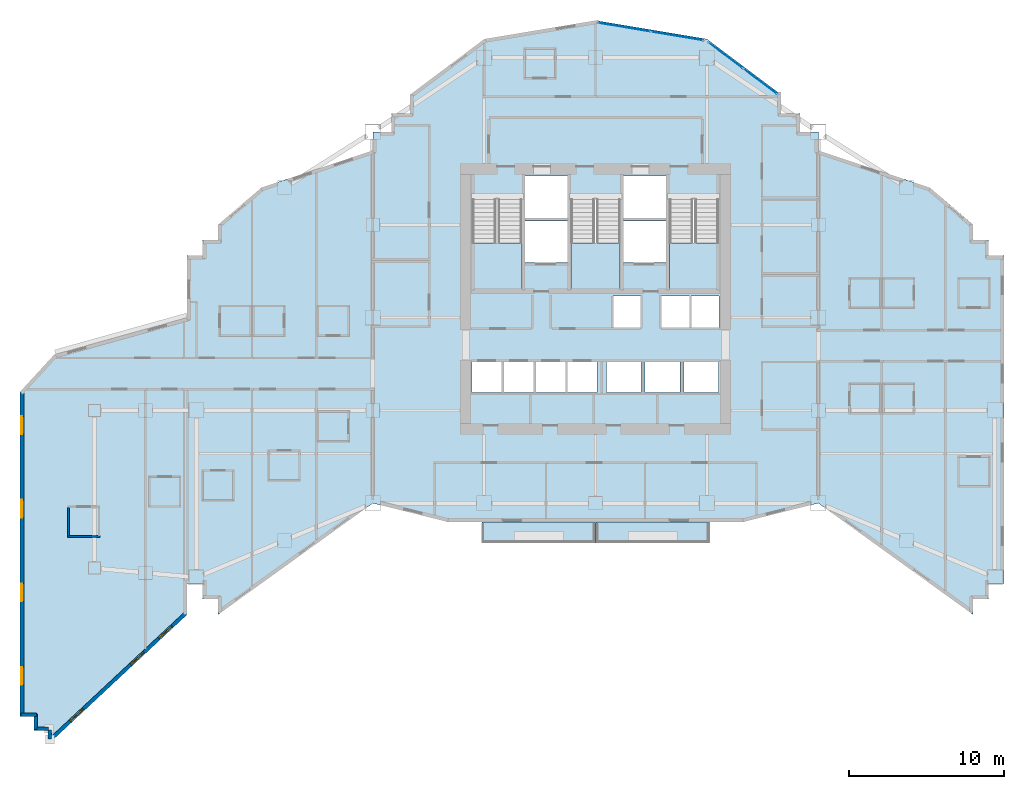
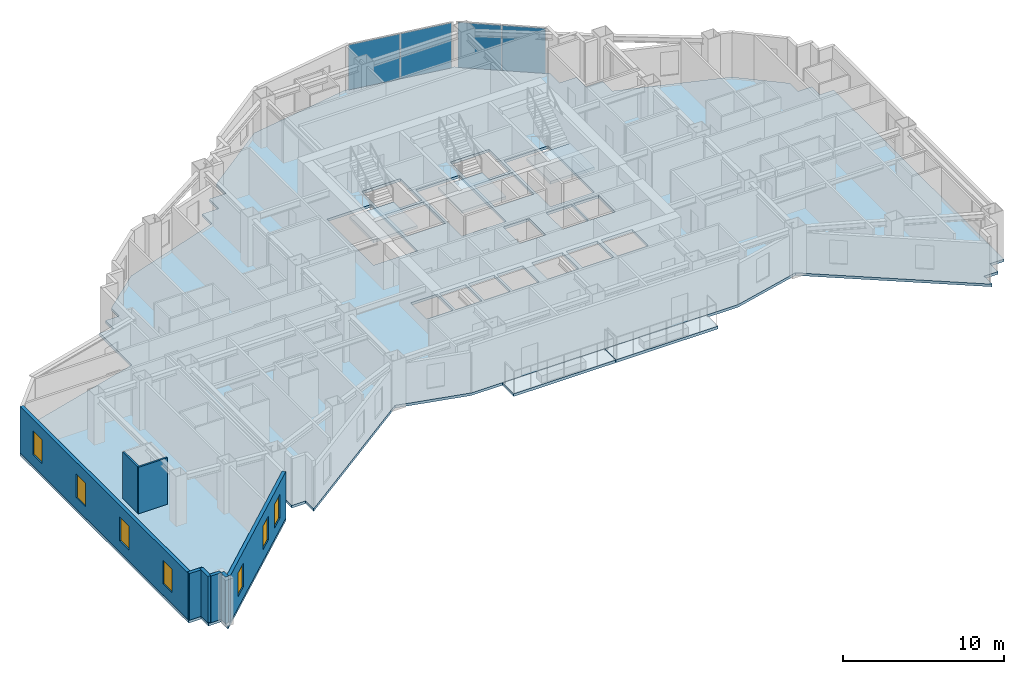
# One storey, part 6 of 15: 8 walls, 7 windows, 6 slabs, 4 plates, 7 openings, 5 elements without a shape of their own.
"""IFC4 building model written with IfcOpenShell, lengths in metres."""

from ifc_helpers import new_model, si_unit, direction, frame, frame_2d, origin, origin_2d, place, context, subcontext, project, spatial, polyline, rectangle, outline, extrude, material, layer, layer_set, type_object, element, fill, aggregate, save


model = new_model("IFC4")

# Units and contexts
model_context = context("Model", 3, precision=1e-05, world=origin(), true_north=direction((0.0, 1.0)))
body_context = subcontext(model_context, "Body", "Model", "MODEL_VIEW")
ifc_project = project(units=[si_unit("LENGTHUNIT", "METRE"), si_unit("AREAUNIT", "SQUARE_METRE"), si_unit("VOLUMEUNIT", "CUBIC_METRE"), si_unit("PLANEANGLEUNIT", "RADIAN"), si_unit("MASSUNIT", "GRAM", prefix="KILO")], contexts=[model_context])

# Site, building, storey
site_placement = place(None, origin())
site = spatial("IfcSite", under=ifc_project, at=site_placement, CompositionType="ELEMENT")
building_placement = place(site_placement, origin())
building = spatial("IfcBuilding", under=site, at=building_placement, Name="Haolan Belvedere Tower", CompositionType="ELEMENT")
storey_placement = place(building_placement, frame((0.0, 0.0, 156.199951171875)))
storey = spatial("IfcBuildingStorey", under=building, at=storey_placement, Name="L39", CompositionType="ELEMENT", Elevation=156.199951171875)

# Curtain wall, plates
ifc_material_1 = material(Name="Anodised champagne-silver aluminium 6063-T6 and Low-E glass", Category="aluminium")
ifc_layer_1 = layer(ifc_material_1, 0.155029296875, Name="Anodised champagne-silver aluminium 6063-T6 and Low-E glass")
ifc_layer_set_1 = layer_set([ifc_layer_1], Name="Anodised champagne-silver aluminium 6063-T6 and Low-E glass")
curtain_wall_type = type_object("IfcCurtainWallType", Name="CW-SYS-03", PredefinedType="NOTDEFINED", material=ifc_layer_set_1)
curtain_wall_1_placement = place(storey_placement, origin())
curtain_wall_1 = element("IfcCurtainWall", 1, at=curtain_wall_1_placement, inside=storey, type_object=curtain_wall_type, Name="L39 CW-SYS-03 ribbon curtain wall 26.1", PredefinedType="NOTDEFINED")
ifc_material_2 = material(Name="Double silver Low-E laminated insulating glass", Category="glass")
ifc_layer_2 = layer(ifc_material_2, 0.02392578125, Name="Double silver Low-E laminated insulating glass")
ifc_layer_set_2 = layer_set([ifc_layer_2], Name="Double silver Low-E laminated insulating glass")
plate_type = type_object("IfcPlateType", Name="CW-SYS-03-PNL", PredefinedType="CURTAIN_PANEL", material=ifc_layer_set_2)
plate_1_placement = place(storey_placement, frame((49.0302734375, 48.877197265625, 0.05419921875), z_axis=(0.0, 0.0, 1.0), x_axis=(-0.800004262313, 0.599994316874, 0.0)))
plate_1 = element("IfcPlate", 2, at=plate_1_placement, type_object=plate_type, Name="CW-03 panel 1.1", PredefinedType="CURTAIN_PANEL", context=body_context, shape_type="SweptSolid", body=[
    extrude(rectangle(XDim=2.728271484375, YDim=0.02392578125, at=origin_2d()), origin(), (0.0, 0.0, 1.0), 3.431884765625),
])
plate_2_placement = place(storey_placement, frame((46.80126953125, 50.549072265625, 0.05419921875), z_axis=(0.0, 0.0, 1.0), x_axis=(-0.800004262313, 0.599994316874, 0.0)))
plate_2 = element("IfcPlate", 3, at=plate_2_placement, type_object=plate_type, Name="CW-03 panel 2.1", PredefinedType="CURTAIN_PANEL", context=body_context, shape_type="SweptSolid", body=[
    extrude(rectangle(XDim=2.728271484375, YDim=0.02392578125, at=origin_2d()), origin(), (0.0, 0.0, 1.0), 3.431884765625),
])
aggregate(curtain_wall_1, [plate_1, plate_2])

curtain_wall_2_placement = place(storey_placement, origin())
curtain_wall_2 = element("IfcCurtainWall", 4, at=curtain_wall_2_placement, inside=storey, type_object=curtain_wall_type, Name="L39 CW-SYS-03 ribbon curtain wall 27.1", PredefinedType="NOTDEFINED")
plate_3_placement = place(storey_placement, frame((43.68017578125, 51.79833984375, 0.05419921875), z_axis=(0.0, 0.0, 1.0), x_axis=(-0.9863931483, 0.16440364043, 0.0)))
plate_3 = element("IfcPlate", 5, at=plate_3_placement, type_object=plate_type, Name="CW-03 panel 1.1", PredefinedType="CURTAIN_PANEL", context=body_context, shape_type="SweptSolid", body=[
    extrude(rectangle(XDim=3.39794921875, YDim=0.02392578125, at=origin_2d()), origin(), (0.0, 0.0, 1.0), 3.431884765625),
])
plate_4_placement = place(storey_placement, frame((40.271240234375, 52.366455078125, 0.05419921875), z_axis=(0.0, 0.0, 1.0), x_axis=(-0.9863931483, 0.16440364043, 0.0)))
plate_4 = element("IfcPlate", 6, at=plate_4_placement, type_object=plate_type, Name="CW-03 panel 2.1", PredefinedType="CURTAIN_PANEL", context=body_context, shape_type="SweptSolid", body=[
    extrude(rectangle(XDim=3.39794921875, YDim=0.02392578125, at=origin_2d()), origin(), (0.0, 0.0, 1.0), 3.431884765625),
])
aggregate(curtain_wall_2, [plate_3, plate_4])

# Slabs
ifc_material_3 = material(Name="Concrete C40/50", Category="concrete")
ifc_layer_3 = layer(ifc_material_3, 0.2099609375, Name="Concrete C40/50")
ifc_layer_set_3 = layer_set([ifc_layer_3], Name="Concrete C40/50")
slab_type_1 = type_object("IfcSlabType", Name="SL-BAL-210", PredefinedType="FLOOR", material=ifc_layer_set_3)
slab_1_placement = place(storey_placement, frame((0.0, 0.0, -0.22998046875)))
element("IfcSlab", 7, at=slab_1_placement, inside=storey, type_object=slab_type_1, Name="L39 structural tree-planter balcony slab BAL-L39-S1", PredefinedType="FLOOR", context=body_context, shape_type="SweptSolid", body=[
    extrude(outline(polyline([(31.050048828125, 19.02001953125), (38.3798828125, 19.02001953125), (38.3798828125, 20.39990234375), (31.050048828125, 20.39990234375), (31.050048828125, 19.02001953125)])), origin(), (0.0, 0.0, 1.0), 0.2099609375),
])
slab_2_placement = place(storey_placement, frame((0.0, 0.0, -0.22998046875)))
element("IfcSlab", 8, at=slab_2_placement, inside=storey, type_object=slab_type_1, Name="L39 structural tree-planter balcony slab BAL-L39-S2", PredefinedType="FLOOR", context=body_context, shape_type="SweptSolid", body=[
    extrude(outline(polyline([(38.419921875, 19.02001953125), (45.75, 19.02001953125), (45.75, 20.39990234375), (38.419921875, 20.39990234375), (38.419921875, 19.02001953125)])), origin(), (0.0, 0.0, 1.0), 0.2099609375),
])
ifc_layer_4 = layer(ifc_material_3, 0.199951171875, Name="Concrete C40/50")
ifc_layer_set_4 = layer_set([ifc_layer_4], Name="Concrete C40/50")
slab_type_2 = type_object("IfcSlabType", Name="SL-FLR-200", PredefinedType="FLOOR", material=ifc_layer_set_4)
slab_3_placement = place(storey_placement, frame((0.0, 0.0, -0.199951171875)))
element("IfcSlab", 9, at=slab_3_placement, inside=storey, type_object=slab_type_2, Name="L39 structural floor slab", PredefinedType="FLOOR", context=body_context, shape_type="SweptSolid", body=[
    extrude(outline(polyline([(12.0, 14.39990234375), (12.0, 16.39990234375), (13.0, 16.39990234375), (13.0, 15.39990234375), (14.0, 15.39990234375), (14.0, 14.39990234375), (24.0, 21.60009765625), (28.800048828125, 20.39990234375), (48.0, 20.39990234375), (52.800048828125, 21.60009765625), (62.800048828125, 14.39990234375), (62.800048828125, 15.39990234375), (63.800048828125, 15.39990234375), (63.800048828125, 16.39990234375), (64.800048828125, 16.39990234375), (64.800048828125, 37.60009765625), (63.800048828125, 37.60009765625), (63.800048828125, 38.60009765625), (62.800048828125, 38.60009765625), (62.800048828125, 39.60009765625), (60.0, 42.0), (52.800048828125, 44.39990234375), (52.800048828125, 45.60009765625), (51.60009765625, 45.60009765625), (51.60009765625, 46.800048828125), (50.39990234375, 46.800048828125), (50.39990234375, 48.0), (45.60009765625, 51.60009765625), (38.39990234375, 52.800048828125), (31.199951171875, 51.60009765625), (26.39990234375, 48.0), (26.39990234375, 46.800048828125), (25.199951171875, 46.800048828125), (25.199951171875, 45.60009765625), (24.0, 45.60009765625), (24.0, 44.39990234375), (16.800048828125, 42.0), (14.0, 39.60009765625), (14.0, 38.60009765625), (13.0, 38.60009765625), (13.0, 37.60009765625), (12.0, 37.60009765625), (12.0, 33.60009765625), (3.39990234375, 31.199951171875), (1.199951171875, 28.800048828125), (1.199951171875, 8.39990234375), (1.199951171875, 7.800048828125), (2.10009765625, 7.800048828125), (2.10009765625, 6.89990234375), (3.0, 6.89990234375), (3.0, 6.0), (12.0, 14.39990234375)]), holes=[polyline([(30.449951171875, 41.22998046875), (30.449951171875, 35.449951171875), (33.6298828125, 35.449951171875), (33.6298828125, 41.22998046875), (30.449951171875, 41.22998046875)]), polyline([(36.81005859375, 41.22998046875), (36.81005859375, 35.449951171875), (39.989990234375, 35.449951171875), (39.989990234375, 41.22998046875), (36.81005859375, 41.22998046875)]), polyline([(43.169921875, 41.22998046875), (43.169921875, 35.449951171875), (46.35009765625, 35.449951171875), (46.35009765625, 41.22998046875), (43.169921875, 41.22998046875)]), polyline([(33.830078125, 40.050048828125), (36.610107421875, 40.050048828125), (36.610107421875, 42.75), (33.830078125, 42.75), (33.830078125, 40.050048828125)]), polyline([(33.830078125, 37.14990234375), (36.610107421875, 37.14990234375), (36.610107421875, 39.85009765625), (33.830078125, 39.85009765625), (33.830078125, 37.14990234375)]), polyline([(40.18994140625, 40.050048828125), (42.969970703125, 40.050048828125), (42.969970703125, 42.75), (40.18994140625, 42.75), (40.18994140625, 40.050048828125)]), polyline([(40.18994140625, 37.14990234375), (42.969970703125, 37.14990234375), (42.969970703125, 39.85009765625), (40.18994140625, 39.85009765625), (40.18994140625, 37.14990234375)]), polyline([(39.5400390625, 32.949951171875), (41.389892578125, 32.949951171875), (41.389892578125, 35.0), (39.5400390625, 35.0), (39.5400390625, 32.949951171875)]), polyline([(42.6201171875, 32.949951171875), (44.469970703125, 32.949951171875), (44.469970703125, 35.0), (42.6201171875, 35.0), (42.6201171875, 32.949951171875)]), polyline([(44.580078125, 32.949951171875), (46.3798828125, 32.949951171875), (46.3798828125, 35.0), (44.580078125, 35.0), (44.580078125, 32.949951171875)]), polyline([(30.419921875, 28.75), (32.320068359375, 28.75), (32.320068359375, 30.75), (30.419921875, 30.75), (30.419921875, 28.75)]), polyline([(32.47998046875, 28.75), (34.3798828125, 28.75), (34.3798828125, 30.75), (32.47998046875, 30.75), (32.47998046875, 28.75)]), polyline([(34.5400390625, 28.75), (36.43994140625, 28.75), (36.43994140625, 30.75), (34.5400390625, 30.75), (34.5400390625, 28.75)]), polyline([(36.60009765625, 28.75), (38.5, 28.75), (38.5, 30.75), (36.60009765625, 30.75), (36.60009765625, 28.75)]), polyline([(39.10009765625, 28.75), (41.340087890625, 28.75), (41.340087890625, 30.75), (39.10009765625, 30.75), (39.10009765625, 28.75)]), polyline([(41.610107421875, 28.75), (43.85009765625, 28.75), (43.85009765625, 30.75), (41.610107421875, 30.75), (41.610107421875, 28.75)]), polyline([(44.1201171875, 28.75), (46.360107421875, 28.75), (46.360107421875, 30.75), (44.1201171875, 30.75), (44.1201171875, 28.75)])]), origin(), (0.0, 0.0, 1.0), 0.199951171875),
])

# Stair, slab
stair_type = type_object("IfcStairType", Name="STR-DL-22R-173", PredefinedType="HALF_TURN_STAIR", material=ifc_material_3)
stair_1_placement = place(storey_placement, origin())
stair_1 = element("IfcStair", 10, at=stair_1_placement, inside=storey, type_object=stair_type, Name="L39 Smokeproof Core Exit Stair ST1", PredefinedType="HALF_TURN_STAIR")
ifc_layer_5 = layer(ifc_material_3, 0.199951171875, Name="Concrete C40/50")
ifc_layer_set_5 = layer_set([ifc_layer_5], Name="Concrete C40/50")
slab_type_3 = type_object("IfcSlabType", Name="SL-LAND-200", PredefinedType="LANDING", material=ifc_layer_set_5)
slab_4_placement = place(storey_placement, frame((0.0, 0.0, 1.699951171875)))
slab_4 = element("IfcSlab", 11, at=slab_4_placement, type_object=slab_type_3, Name="ST1 landing 1", PredefinedType="LANDING", context=body_context, shape_type="SweptSolid", body=[
    extrude(outline(polyline([(30.449951171875, 38.429931640625), (30.449951171875, 35.449951171875), (33.6298828125, 35.449951171875), (33.6298828125, 38.429931640625), (30.449951171875, 38.429931640625)])), origin(), (0.0, 0.0, 1.0), 0.2001953125),
])
aggregate(stair_1, [slab_4])

stair_2_placement = place(storey_placement, origin())
stair_2 = element("IfcStair", 12, at=stair_2_placement, inside=storey, type_object=stair_type, Name="L39 Smokeproof Core Exit Stair ST3", PredefinedType="HALF_TURN_STAIR")
slab_5_placement = place(storey_placement, frame((0.0, 0.0, 1.699951171875)))
slab_5 = element("IfcSlab", 13, at=slab_5_placement, type_object=slab_type_3, Name="ST3 landing 1", PredefinedType="LANDING", context=body_context, shape_type="SweptSolid", body=[
    extrude(outline(polyline([(36.81005859375, 38.429931640625), (36.81005859375, 35.449951171875), (39.989990234375, 35.449951171875), (39.989990234375, 38.429931640625), (36.81005859375, 38.429931640625)])), origin(), (0.0, 0.0, 1.0), 0.2001953125),
])
aggregate(stair_2, [slab_5])

stair_3_placement = place(storey_placement, origin())
stair_3 = element("IfcStair", 14, at=stair_3_placement, inside=storey, type_object=stair_type, Name="L39 Smokeproof Core Exit Stair ST2", PredefinedType="HALF_TURN_STAIR")
slab_6_placement = place(storey_placement, frame((0.0, 0.0, 1.699951171875)))
slab_6 = element("IfcSlab", 15, at=slab_6_placement, type_object=slab_type_3, Name="ST2 landing 1", PredefinedType="LANDING", context=body_context, shape_type="SweptSolid", body=[
    extrude(outline(polyline([(43.169921875, 38.429931640625), (43.169921875, 35.449951171875), (46.35009765625, 35.449951171875), (46.35009765625, 38.429931640625), (43.169921875, 38.429931640625)])), origin(), (0.0, 0.0, 1.0), 0.2001953125),
])
aggregate(stair_3, [slab_6])

# Wall, openings, windows
ifc_material_4 = material(Name="Precast concrete C40/50", Category="concrete")
ifc_layer_6 = layer(ifc_material_4, 0.239990234375, Name="Precast concrete C40/50")
ifc_layer_set_6 = layer_set([ifc_layer_6], Name="Precast concrete C40/50")
wall_type_1 = type_object("IfcWallType", Name="WL-EXT-240", PredefinedType="SOLIDWALL", material=ifc_layer_set_6)
wall_1_placement = place(storey_placement, frame((1.320068359375, 28.808349609375, 0.0), z_axis=(0.0, 0.0, 1.0), x_axis=(0.0, -1.0, 0.0)))
wall_1 = element("IfcWall", 16, at=wall_1_placement, inside=storey, type_object=wall_type_1, Name="L39 pale-metal exterior spandrel wall 44.1", PredefinedType="SOLIDWALL", context=body_context, shape_type="SweptSolid", body=[
    extrude(rectangle(XDim=20.943359375, YDim=0.239990234375, at=frame_2d((10.4716796875, 0.0))), origin(), (0.0, 0.0, 1.0), 3.5400390625),
])
opening_1_placement = place(wall_1_placement, frame((1.60009765625, 0.0, 0.85009765625)))
opening_1 = element("IfcOpeningElement", 17, at=opening_1_placement, cuts=wall_1, Name="Opening W-02", PredefinedType="OPENING", context=body_context, shape_type="SweptSolid", body=[
    extrude(rectangle(XDim=1.14990234375, YDim=1.800048828125, at=frame_2d((0.574951171875, 0.89990234375))), frame((0.0, 0.1298828125, 0.0), z_axis=(0.0, -1.0, 0.0), x_axis=(1.0, 0.0, 0.0)), (0.0, 0.0, 1.0), 0.260009765625),
])
opening_2_placement = place(wall_1_placement, frame((7.0, 0.0, 0.85009765625)))
opening_2 = element("IfcOpeningElement", 18, at=opening_2_placement, cuts=wall_1, Name="Opening W-02", PredefinedType="OPENING", context=body_context, shape_type="SweptSolid", body=[
    extrude(rectangle(XDim=1.14990234375, YDim=1.800048828125, at=frame_2d((0.574951171875, 0.89990234375))), frame((0.0, 0.1298828125, 0.0), z_axis=(0.0, -1.0, 0.0), x_axis=(1.0, 0.0, 0.0)), (0.0, 0.0, 1.0), 0.260009765625),
])
opening_3_placement = place(wall_1_placement, frame((12.39990234375, 0.0, 0.85009765625)))
opening_3 = element("IfcOpeningElement", 19, at=opening_3_placement, cuts=wall_1, Name="Opening W-02", PredefinedType="OPENING", context=body_context, shape_type="SweptSolid", body=[
    extrude(rectangle(XDim=1.14990234375, YDim=1.800048828125, at=frame_2d((0.574951171875, 0.89990234375))), frame((0.0, 0.1298828125, 0.0), z_axis=(0.0, -1.0, 0.0), x_axis=(1.0, 0.0, 0.0)), (0.0, 0.0, 1.0), 0.260009765625),
])
opening_4_placement = place(wall_1_placement, frame((17.800048828125, 0.0, 0.85009765625)))
opening_4 = element("IfcOpeningElement", 20, at=opening_4_placement, cuts=wall_1, Name="Opening W-02", PredefinedType="OPENING", context=body_context, shape_type="SweptSolid", body=[
    extrude(rectangle(XDim=1.14990234375, YDim=1.800048828125, at=frame_2d((0.574951171875, 0.89990234375))), frame((0.0, 0.1298828125, 0.0), z_axis=(0.0, -1.0, 0.0), x_axis=(1.0, 0.0, 0.0)), (0.0, 0.0, 1.0), 0.260009765625),
])
ifc_material_5 = material(Name="Anodised aluminium 6063-T6 and Low-E glass", Category="aluminium")
window_type = type_object("IfcWindowType", Name="WN-DECO-Z2", PartitioningType="SINGLE_PANEL", PredefinedType="WINDOW", material=ifc_material_5)
window_1_placement = place(opening_1_placement, origin())
window_1 = element("IfcWindow", 21, at=window_1_placement, inside=storey, type_object=window_type, Name="L39 Art Deco chevron window 1", OverallHeight=1.800048828125, OverallWidth=1.14990234375, PartitioningType="SINGLE_PANEL", PredefinedType="WINDOW", context=body_context, shape_type="SweptSolid", body=[
    extrude(rectangle(XDim=1.14990234375, YDim=1.800048828125, at=frame_2d((0.574951171875, 0.89990234375))), frame((0.0, 0.030029296875, 0.0), z_axis=(0.0, -1.0, 0.0), x_axis=(1.0, 0.0, 0.0)), (0.0, 0.0, 1.0), 0.06005859375),
])
fill(opening_1, window_1)
window_2_placement = place(opening_2_placement, origin())
window_2 = element("IfcWindow", 22, at=window_2_placement, inside=storey, type_object=window_type, Name="L39 Art Deco chevron window 2", OverallHeight=1.800048828125, OverallWidth=1.14990234375, PartitioningType="SINGLE_PANEL", PredefinedType="WINDOW", context=body_context, shape_type="SweptSolid", body=[
    extrude(rectangle(XDim=1.14990234375, YDim=1.800048828125, at=frame_2d((0.574951171875, 0.89990234375))), frame((0.0, 0.030029296875, 0.0), z_axis=(0.0, -1.0, 0.0), x_axis=(1.0, 0.0, 0.0)), (0.0, 0.0, 1.0), 0.06005859375),
])
fill(opening_2, window_2)
window_3_placement = place(opening_3_placement, origin())
window_3 = element("IfcWindow", 23, at=window_3_placement, inside=storey, type_object=window_type, Name="L39 Art Deco chevron window 3", OverallHeight=1.800048828125, OverallWidth=1.14990234375, PartitioningType="SINGLE_PANEL", PredefinedType="WINDOW", context=body_context, shape_type="SweptSolid", body=[
    extrude(rectangle(XDim=1.14990234375, YDim=1.800048828125, at=frame_2d((0.574951171875, 0.89990234375))), frame((0.0, 0.030029296875, 0.0), z_axis=(0.0, -1.0, 0.0), x_axis=(1.0, 0.0, 0.0)), (0.0, 0.0, 1.0), 0.06005859375),
])
fill(opening_3, window_3)
window_4_placement = place(opening_4_placement, origin())
window_4 = element("IfcWindow", 24, at=window_4_placement, inside=storey, type_object=window_type, Name="L39 Art Deco chevron window 4", OverallHeight=1.800048828125, OverallWidth=1.14990234375, PartitioningType="SINGLE_PANEL", PredefinedType="WINDOW", context=body_context, shape_type="SweptSolid", body=[
    extrude(rectangle(XDim=1.14990234375, YDim=1.800048828125, at=frame_2d((0.574951171875, 0.89990234375))), frame((0.0, 0.030029296875, 0.0), z_axis=(0.0, -1.0, 0.0), x_axis=(1.0, 0.0, 0.0)), (0.0, 0.0, 1.0), 0.06005859375),
])
fill(opening_4, window_4)

# Walls
for number, where, z_axis, x_axis, name in (
    (25, (1.264892578125, 7.919921875, 0.0), (0.0, 0.0, 1.0), (1.0, 0.0, 0.0), "L39 pale-metal exterior spandrel wall 45.1"),
    (26, (2.219970703125, 7.97509765625, 0.0), (0.0, 0.0, 1.0), (0.0, -1.0, 0.0), "L39 pale-metal exterior spandrel wall 46.1"),
):
    element("IfcWall", number, at=place(storey_placement, frame(where, z_axis=z_axis, x_axis=x_axis)), inside=storey, type_object=wall_type_1, Name=name, PredefinedType="SOLIDWALL", context=body_context, shape_type="SweptSolid", body=[
        extrude(rectangle(XDim=1.010009765625, YDim=0.239990234375, at=frame_2d((0.5048828125, 0.0))), origin(), (0.0, 0.0, 1.0), 3.5400390625),
    ])
wall_2_placement = place(storey_placement, frame((2.300048828125, 7.02001953125, 0.0), z_axis=(0.0, 0.0, 1.0), x_axis=(1.0, 0.0, 0.0)))
element("IfcWall", 27, at=wall_2_placement, inside=storey, type_object=wall_type_1, Name="L39 pale-metal exterior spandrel wall 47.1", PredefinedType="SOLIDWALL", context=body_context, shape_type="SweptSolid", body=[
    extrude(rectangle(XDim=0.73486328125, YDim=0.239990234375, at=frame_2d((0.367431640625, 0.0))), origin(), (0.0, 0.0, 1.0), 3.5400390625),
])
wall_3_placement = place(storey_placement, frame((3.1201171875, 6.93505859375, 0.0), z_axis=(0.0, 0.0, 1.0), x_axis=(0.0, -1.0, 0.0)))
element("IfcWall", 28, at=wall_3_placement, inside=storey, type_object=wall_type_1, Name="L39 pale-metal exterior spandrel wall 48.1", PredefinedType="SOLIDWALL", context=body_context, shape_type="SweptSolid", body=[
    extrude(rectangle(XDim=0.573974609375, YDim=0.239990234375, at=frame_2d((0.287109375, 0.0))), origin(), (0.0, 0.0, 1.0), 3.5400390625),
])

# Wall, openings, windows
wall_4_placement = place(storey_placement, frame((3.269775390625, 6.416015625, 0.0), z_axis=(0.0, 0.0, 1.0), x_axis=(0.731064187858, 0.682308693505, 0.0)))
wall_4 = element("IfcWall", 29, at=wall_4_placement, inside=storey, type_object=wall_type_1, Name="L39 pale-metal exterior spandrel wall 49.1", PredefinedType="SOLIDWALL", context=body_context, shape_type="SweptSolid", body=[
    extrude(rectangle(XDim=11.83251953125, YDim=0.239990234375, at=frame_2d((5.916259765625, 0.0))), origin(), (0.0, 0.0, 1.0), 3.5400390625),
])
opening_5_placement = place(wall_4_placement, frame((1.60009765625, 0.0, 0.85009765625)))
opening_5 = element("IfcOpeningElement", 30, at=opening_5_placement, cuts=wall_4, Name="Opening W-02", PredefinedType="OPENING", context=body_context, shape_type="SweptSolid", body=[
    extrude(rectangle(XDim=1.14990234375, YDim=1.800048828125, at=frame_2d((0.574951171875, 0.89990234375))), frame((0.0, 0.1298828125, 0.0), z_axis=(0.0, -1.0, 0.0), x_axis=(1.0, 0.0, 0.0)), (0.0, 0.0, 1.0), 0.260009765625),
])
opening_6_placement = place(wall_4_placement, frame((6.96142578125, 0.0, 0.85009765625)))
opening_6 = element("IfcOpeningElement", 31, at=opening_6_placement, cuts=wall_4, Name="Opening W-02", PredefinedType="OPENING", context=body_context, shape_type="SweptSolid", body=[
    extrude(rectangle(XDim=1.14990234375, YDim=1.800048828125, at=frame_2d((0.574951171875, 0.89990234375))), frame((0.0, 0.1298828125, 0.0), z_axis=(0.0, -1.0, 0.0), x_axis=(1.0, 0.0, 0.0)), (0.0, 0.0, 1.0), 0.260009765625),
])
opening_7_placement = place(wall_4_placement, frame((9.44580078125, 0.0, 0.85009765625)))
opening_7 = element("IfcOpeningElement", 32, at=opening_7_placement, cuts=wall_4, Name="Opening W-02", PredefinedType="OPENING", context=body_context, shape_type="SweptSolid", body=[
    extrude(rectangle(XDim=1.14990234375, YDim=1.800048828125, at=frame_2d((0.574951171875, 0.89990234375))), frame((0.0, 0.1298828125, 0.0), z_axis=(0.0, -1.0, 0.0), x_axis=(1.0, 0.0, 0.0)), (0.0, 0.0, 1.0), 0.260009765625),
])
window_5_placement = place(opening_5_placement, origin())
window_5 = element("IfcWindow", 33, at=window_5_placement, inside=storey, type_object=window_type, Name="L39 Art Deco chevron window 1", OverallHeight=1.800048828125, OverallWidth=1.14990234375, PartitioningType="SINGLE_PANEL", PredefinedType="WINDOW", context=body_context, shape_type="SweptSolid", body=[
    extrude(rectangle(XDim=1.14990234375, YDim=1.800048828125, at=frame_2d((0.574951171875, 0.89990234375))), frame((0.0, 0.030029296875, 0.0), z_axis=(0.0, -1.0, 0.0), x_axis=(1.0, 0.0, 0.0)), (0.0, 0.0, 1.0), 0.06005859375),
])
fill(opening_5, window_5)
window_6_placement = place(opening_6_placement, origin())
window_6 = element("IfcWindow", 34, at=window_6_placement, inside=storey, type_object=window_type, Name="L39 Art Deco chevron window 2", OverallHeight=1.800048828125, OverallWidth=1.14990234375, PartitioningType="SINGLE_PANEL", PredefinedType="WINDOW", context=body_context, shape_type="SweptSolid", body=[
    extrude(rectangle(XDim=1.14990234375, YDim=1.800048828125, at=frame_2d((0.574951171875, 0.89990234375))), frame((0.0, 0.030029296875, 0.0), z_axis=(0.0, -1.0, 0.0), x_axis=(1.0, 0.0, 0.0)), (0.0, 0.0, 1.0), 0.06005859375),
])
fill(opening_6, window_6)
window_7_placement = place(opening_7_placement, origin())
window_7 = element("IfcWindow", 35, at=window_7_placement, inside=storey, type_object=window_type, Name="L39 Art Deco guestroom window 3", OverallHeight=1.800048828125, OverallWidth=1.14990234375, PartitioningType="SINGLE_PANEL", PredefinedType="WINDOW", context=body_context, shape_type="SweptSolid", body=[
    extrude(rectangle(XDim=1.14990234375, YDim=1.800048828125, at=frame_2d((0.574951171875, 0.89990234375))), frame((0.0, 0.030029296875, 0.0), z_axis=(0.0, -1.0, 0.0), x_axis=(1.0, 0.0, 0.0)), (0.0, 0.0, 1.0), 0.06005859375),
])
fill(opening_7, window_7)

# Walls
ifc_material_6 = material(Name="Moisture-resistant gypsum tile partition", Category="masonry")
ifc_layer_7 = layer(ifc_material_6, 0.1201171875, Name="Moisture-resistant gypsum tile partition")
ifc_layer_set_7 = layer_set([ifc_layer_7], Name="Moisture-resistant gypsum tile partition")
wall_type_2 = type_object("IfcWallType", Name="WL-WET-120", PredefinedType="PARTITIONING", material=ifc_layer_set_7)
wall_5_placement = place(storey_placement, frame((4.264892578125, 19.444091796875, 0.0), z_axis=(0.0, 0.0, 1.0), x_axis=(1.0, 0.0, 0.0)))
element("IfcWall", 36, at=wall_5_placement, inside=storey, type_object=wall_type_2, Name="L39 interior partition IW-L39-T1S1-BS", PredefinedType="PARTITIONING", context=body_context, shape_type="SweptSolid", body=[
    extrude(rectangle(XDim=2.10009765625, YDim=0.1201171875, at=frame_2d((1.050048828125, 0.0))), origin(), (0.0, 0.0, 1.0), 3.5400390625),
])
wall_6_placement = place(storey_placement, frame((4.324951171875, 19.489013671875, 0.0), z_axis=(0.0, 0.0, 1.0), x_axis=(0.0, 1.0, 0.0)))
element("IfcWall", 37, at=wall_6_placement, inside=storey, type_object=wall_type_2, Name="L39 interior partition IW-L39-T1S1-BW", PredefinedType="PARTITIONING", context=body_context, shape_type="SweptSolid", body=[
    extrude(rectangle(XDim=1.830078125, YDim=0.1201171875, at=frame_2d((0.9150390625, 0.0))), origin(), (0.0, 0.0, 1.0), 3.5400390625),
])

save(model, "model.ifc")
